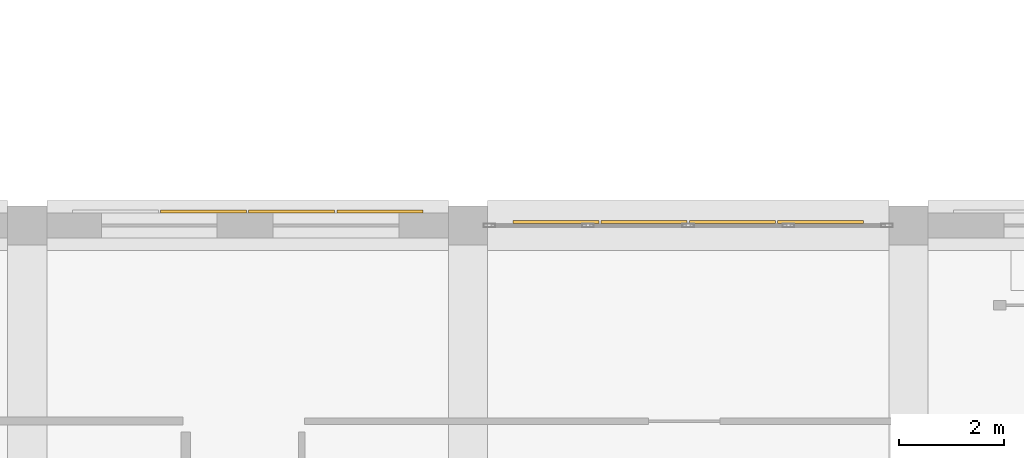
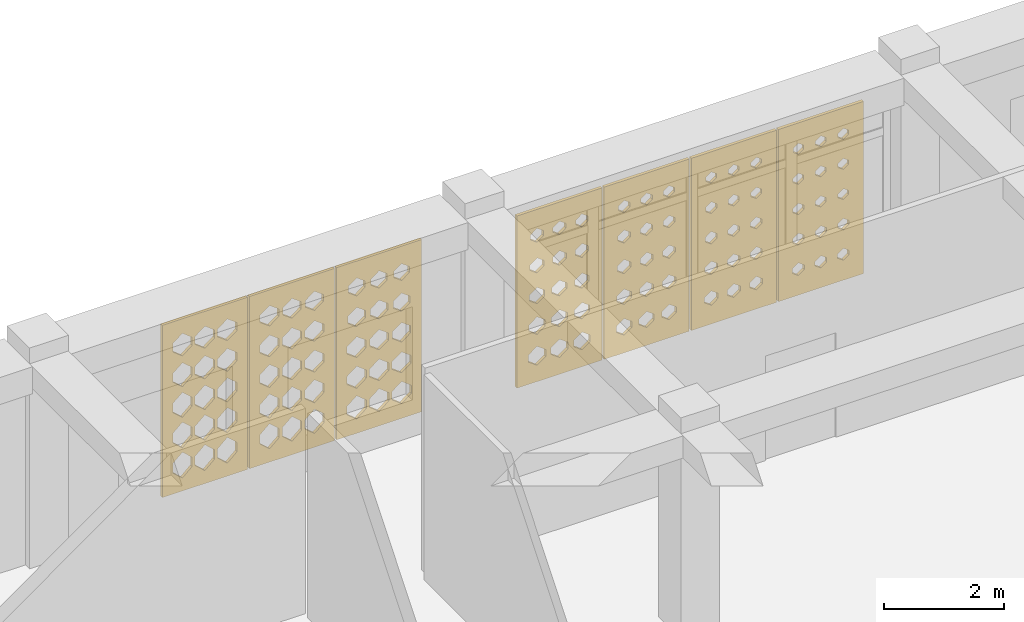
# One storey, part 99 of 121: 7 coverings.
"""IFC4 building model written with IfcOpenShell, lengths in metres."""

import ifcopenshell
import ifcopenshell.guid

model = None  # the IFC model being written
_history = None  # IfcOwnerHistory: only IFC2X3 demands one
_inside = {}  # id of a spatial element -> (the spatial element, [elements in it])
_under = {}  # id of a project, library or spatial element -> (it, [spatial elements below it])
_declared = {}  # id of a project -> (the project, [libraries it declares])
_typed = {}  # id of a type object -> (the type object, [elements of that type])
_made_of = {}  # id of a material, layer set ... -> (it, [elements and type objects made of it])


def new_model(schema):
    """Start an empty IFC model of exactly this schema.

    Asked for "IFC4X3", IfcOpenShell would pick the latest addendum, in which some entities
    have other attributes; the version numbers below select the first issue.
    IFC2X3 requires an IfcOwnerHistory on every rooted entity: one is made here for all.
    """
    global model, _history
    if schema == "IFC4X3":
        model = ifcopenshell.file(schema_version=(4, 3, 0, 0))
    else:
        model = ifcopenshell.file(schema=schema)
    _inside.clear()
    _under.clear()
    _declared.clear()
    _typed.clear()
    _made_of.clear()
    _history = None
    if model.schema == "IFC2X3":
        org = make("IfcOrganization", Name="unknown")
        user = make(
            "IfcPersonAndOrganization",
            ThePerson=make("IfcPerson", FamilyName="unknown"),
            TheOrganization=org,
        )
        app = make(
            "IfcApplication",
            ApplicationDeveloper=org,
            Version="unknown",
            ApplicationFullName="unknown",
            ApplicationIdentifier="unknown",
        )
        _history = make(
            "IfcOwnerHistory",
            OwningUser=user,
            OwningApplication=app,
            ChangeAction="ADDED",
            CreationDate=0,
        )
    return model


def make(cls, **values):
    """One entity of the class cls with the attributes given. An attribute that is None is left unset."""
    return model.create_entity(
        cls, **{name: value for name, value in values.items() if value is not None}
    )


def rooted(cls, **values):
    """An entity with a GlobalId (a new one), such as an element, a storey or a relation."""
    return make(cls, GlobalId=ifcopenshell.guid.new(), OwnerHistory=_history, **values)


def si_unit(unit_type, name, prefix=None):
    """IfcSIUnit, for example si_unit("LENGTHUNIT", "METRE", prefix="MILLI")."""
    return make("IfcSIUnit", UnitType=unit_type, Prefix=prefix, Name=name)


def derived_unit(unit_type, elements):
    """IfcDerivedUnit: a product of units, each with its exponent."""
    return make(
        "IfcDerivedUnit",
        Elements=[
            make("IfcDerivedUnitElement", Unit=unit, Exponent=power)
            for unit, power in elements
        ],
        UnitType=unit_type,
    )


def assignment(units):
    """IfcUnitAssignment: the units of a project."""
    return None if units is None else make("IfcUnitAssignment", Units=units)


def point(xyz):
    """IfcCartesianPoint."""
    return None if xyz is None else make("IfcCartesianPoint", Coordinates=xyz)


def direction(xyz):
    """IfcDirection."""
    return None if xyz is None else make("IfcDirection", DirectionRatios=xyz)


def frame(location, z_axis=None, x_axis=None):
    """IfcAxis2Placement3D, a coordinate frame: its origin and axes. An axis left out is left unset."""
    return make(
        "IfcAxis2Placement3D",
        Location=point(location),
        Axis=direction(z_axis),
        RefDirection=direction(x_axis),
    )


def origin():
    """The frame at (0, 0, 0) with its axes left unset."""
    return frame((0.0, 0.0, 0.0))


def place(relative_to, where):
    """IfcLocalPlacement: puts the frame where relative to a parent placement (None: the world)."""
    return make(
        "IfcLocalPlacement", PlacementRelTo=relative_to, RelativePlacement=where
    )


def context(
    kind, dimensions, precision=None, world=None, true_north=None, identifier=None
):
    """IfcGeometricRepresentationContext, for example the 3D "Model" context."""
    return make(
        "IfcGeometricRepresentationContext",
        ContextIdentifier=identifier,
        ContextType=kind,
        CoordinateSpaceDimension=dimensions,
        Precision=precision,
        WorldCoordinateSystem=world,
        TrueNorth=true_north,
    )


def subcontext(parent, identifier, kind, view, scale=None):
    """IfcGeometricRepresentationSubContext, for example "Body" below "Model"."""
    return make(
        "IfcGeometricRepresentationSubContext",
        ContextIdentifier=identifier,
        ContextType=kind,
        ParentContext=parent,
        TargetScale=scale,
        TargetView=view,
    )


def project(units=None, contexts=None):
    """IfcProject with its units and contexts."""
    return rooted(
        "IfcProject",
        Name="project",
        RepresentationContexts=contexts,
        UnitsInContext=assignment(units),
    )


def spatial(cls, under=None, at=None, **own):
    """A site, building, storey or space (cls), placed at a placement, below another one or the project."""
    s = rooted(cls, ObjectPlacement=at, **own)
    if under is not None:
        _under.setdefault(under.id(), (under, []))[1].append(s)
    return s


def polyline(points):
    """IfcPolyline through the points."""
    return make("IfcPolyline", Points=[point(p) for p in points])


def outline(outer, holes=None, kind="AREA"):
    """IfcArbitraryClosedProfileDef: a profile drawn as a closed curve; with holes, ...WithVoids."""
    if holes is None:
        return make("IfcArbitraryClosedProfileDef", ProfileType=kind, OuterCurve=outer)
    return make(
        "IfcArbitraryProfileDefWithVoids",
        ProfileType=kind,
        OuterCurve=outer,
        InnerCurves=holes,
    )


def extrude(swept, where, along, depth):
    """IfcExtrudedAreaSolid: the profile swept, set in the frame where, extruded along a direction by depth."""
    return make(
        "IfcExtrudedAreaSolid",
        SweptArea=swept,
        Position=where,
        ExtrudedDirection=direction(along),
        Depth=depth,
    )


def shape(context_of_items, identifier, shape_type, items):
    """IfcShapeRepresentation: the items that make up one representation, for example the "Body"."""
    return make(
        "IfcShapeRepresentation",
        ContextOfItems=context_of_items,
        RepresentationIdentifier=identifier,
        RepresentationType=shape_type,
        Items=items,
    )


def material(Name=None, Category=None):
    """IfcMaterial."""
    return make("IfcMaterial", Name=Name, Category=Category)


def layer(
    of_material, thickness, ventilated=None, Name=None, Category=None, Priority=None
):
    """IfcMaterialLayer: one layer of a wall or slab, of a material (None: an air gap)."""
    return make(
        "IfcMaterialLayer",
        Material=of_material,
        LayerThickness=thickness,
        IsVentilated=ventilated,
        Name=Name,
        Category=Category,
        Priority=Priority,
    )


def layer_set(layers, Name=None):
    """IfcMaterialLayerSet."""
    return make("IfcMaterialLayerSet", MaterialLayers=layers, LayerSetName=Name)


def made_of(thing, what):
    """Note that an element or type object is made of a material, layer set ...; save() writes the relation."""
    if what is not None:
        _made_of.setdefault(what.id(), (what, []))[1].append(thing)
    return thing


def type_object(cls, material=None, **own):
    """A type object (cls), such as IfcWallType, which elements share."""
    return made_of(rooted(cls, **own), material)


def element(
    cls,
    number,
    at=None,
    inside=None,
    cuts=None,
    type_object=None,
    material=None,
    context=None,
    identifier="Body",
    shape_type=None,
    held_by="IfcProductDefinitionShape",
    body=None,
    shapes=None,
    **own,
):
    """One element of the class cls, such as IfcWall. Its Tag is "e" and its number.

    at: its placement. inside: the storey or other place that contains it. cuts: it is an
    opening in that element (IfcRelVoidsElement). A single representation is given by context,
    identifier, shape_type and body (its items); several are given by shapes. held_by: the class
    of the entity that holds the representations. save() writes the other relations.
    """
    e = rooted(cls, Tag="e%d" % number, ObjectPlacement=at, **own)
    if body is not None:
        shapes = [shape(context, identifier, shape_type, body)]
    if shapes is not None:
        e.Representation = make(held_by, Representations=shapes)
    if inside is not None:
        _inside.setdefault(inside.id(), (inside, []))[1].append(e)
    if cuts is not None:
        rooted(
            "IfcRelVoidsElement", RelatingBuildingElement=cuts, RelatedOpeningElement=e
        )
    if type_object is not None:
        _typed.setdefault(type_object.id(), (type_object, []))[1].append(e)
    return made_of(e, material)


def aggregate(whole, parts):
    """IfcRelAggregates: a whole, such as a stair, and the parts it consists of."""
    return rooted("IfcRelAggregates", RelatingObject=whole, RelatedObjects=parts)


def save(model, path):
    """Write the relations noted so far, then the file.

    IfcRelAggregates (storeys below a building ...), IfcRelContainedInSpatialStructure (elements
    in a storey), IfcRelDefinesByType, IfcRelAssociatesMaterial and IfcRelDeclares: one each for
    every whole, place, type object, material and project.
    """
    for whole, parts in _under.values():
        aggregate(whole, parts)
    for where, things in _inside.values():
        rooted(
            "IfcRelContainedInSpatialStructure",
            RelatedElements=things,
            RelatingStructure=where,
        )
    for kind, things in _typed.values():
        rooted("IfcRelDefinesByType", RelatedObjects=things, RelatingType=kind)
    for what, things in _made_of.values():
        rooted("IfcRelAssociatesMaterial", RelatedObjects=things, RelatingMaterial=what)
    for by, libraries in _declared.values():
        rooted("IfcRelDeclares", RelatingContext=by, RelatedDefinitions=libraries)
    model.write(path)


model = new_model("IFC4")

# Units and contexts
model_context = context("Model", 3, precision=1e-05, world=origin(), true_north=direction((0.0, 1.0)))
body_context = subcontext(model_context, "Body", "Model", "MODEL_VIEW")
ifc_project = project(units=[si_unit("LENGTHUNIT", "METRE"), si_unit("AREAUNIT", "SQUARE_METRE"), si_unit("VOLUMEUNIT", "CUBIC_METRE"), si_unit("PLANEANGLEUNIT", "RADIAN"), si_unit("MASSUNIT", "GRAM", prefix="KILO"), derived_unit("THERMALTRANSMITTANCEUNIT", [(si_unit("POWERUNIT", "WATT"), 1), (si_unit("LENGTHUNIT", "METRE"), -2), (si_unit("THERMODYNAMICTEMPERATUREUNIT", "KELVIN"), -1)])], contexts=[model_context])

# Site, building, storey
site_placement = place(None, origin())
site = spatial("IfcSite", under=ifc_project, at=site_placement, CompositionType="ELEMENT")
building_placement = place(site_placement, origin())
building = spatial("IfcBuilding", under=site, at=building_placement, Name="Veybourne Emporium", CompositionType="ELEMENT")
storey_placement = place(building_placement, frame((0.0, 0.0, 5.39990234375)))
storey = spatial("IfcBuildingStorey", under=building, at=storey_placement, Name="L01", CompositionType="ELEMENT", Elevation=5.39990234375)

# Coverings
ifc_material = material(Name="Warm-White Perforated Aluminium Screen Alloy", Category="aluminium")
ifc_layer_1 = layer(ifc_material, 0.06005859375)
ifc_layer_set_1 = layer_set([ifc_layer_1], Name="Warm-White Perforated Aluminium Screen Alloy")
covering_type_1 = type_object("IfcCoveringType", Name="WaveScreen_SCR-01", PredefinedType="CLADDING", material=ifc_layer_set_1)
covering_1_placement = place(storey_placement, frame((114.239990234375, 29.09814453125, 1.815185546875), z_axis=(0.0, -1.0, 0.0), x_axis=(1.0, 0.0, 0.0)))
element("IfcCovering", 1, at=covering_1_placement, inside=storey, type_object=covering_type_1, Name="L01 wave-perforated aluminium screen SCR-01 (64.3)", PredefinedType="CLADDING", context=body_context, shape_type="SweptSolid", body=[
    extrude(outline(polyline([(-0.81982421875, -1.7548828125), (0.81982421875, -1.7548828125), (0.81982421875, 1.7548828125), (-0.81982421875, 1.7548828125), (-0.81982421875, -1.7548828125)]), holes=[polyline([(-0.433349609375, -0.971923828125), (-0.2470703125, -1.1357421875), (-0.2470703125, -1.3203125), (-0.433349609375, -1.484130859375), (-0.61962890625, -1.3203125), (-0.61962890625, -1.1357421875), (-0.433349609375, -0.971923828125)]), polyline([(-0.433349609375, -0.367919921875), (-0.2470703125, -0.525390625), (-0.2470703125, -0.70263671875), (-0.433349609375, -0.860107421875), (-0.61962890625, -0.70263671875), (-0.61962890625, -0.525390625), (-0.433349609375, -0.367919921875)]), polyline([(-0.433349609375, 0.234619140625), (-0.2470703125, 0.08447265625), (-0.2470703125, -0.08447265625), (-0.433349609375, -0.234619140625), (-0.61962890625, -0.08447265625), (-0.61962890625, 0.08447265625), (-0.433349609375, 0.234619140625)]), polyline([(-0.433349609375, 0.8359375), (-0.2470703125, 0.69384765625), (-0.2470703125, 0.5341796875), (-0.433349609375, 0.39208984375), (-0.61962890625, 0.5341796875), (-0.61962890625, 0.69384765625), (-0.433349609375, 0.8359375)]), polyline([(-0.433349609375, 1.436279296875), (-0.2529296875, 1.302978515625), (-0.2529296875, 1.153076171875), (-0.433349609375, 1.019775390625), (-0.61376953125, 1.153076171875), (-0.61376953125, 1.302978515625), (-0.433349609375, 1.436279296875)]), polyline([(0.0, -0.976318359375), (0.186279296875, -1.13720703125), (0.186279296875, -1.318603515625), (0.0, -1.479736328125), (-0.186279296875, -1.318603515625), (-0.186279296875, -1.13720703125), (0.0, -0.976318359375)]), polyline([(0.0, -0.372802734375), (0.186279296875, -0.527099609375), (0.186279296875, -0.70068359375), (0.0, -0.85498046875), (-0.186279296875, -0.70068359375), (-0.186279296875, -0.527099609375), (0.0, -0.372802734375)]), polyline([(0.0, 0.22900390625), (0.186279296875, 0.08251953125), (0.186279296875, -0.08251953125), (0.0, -0.22900390625), (-0.186279296875, -0.08251953125), (-0.186279296875, 0.08251953125), (0.0, 0.22900390625)]), polyline([(0.0, 0.829833984375), (0.186279296875, 0.691650390625), (0.186279296875, 0.536376953125), (0.0, 0.398193359375), (-0.186279296875, 0.536376953125), (-0.186279296875, 0.691650390625), (0.0, 0.829833984375)]), polyline([(0.0, 1.429931640625), (0.17529296875, 1.30078125), (0.17529296875, 1.1552734375), (0.0, 1.02587890625), (-0.17529296875, 1.1552734375), (-0.17529296875, 1.30078125), (0.0, 1.429931640625)]), polyline([(0.433349609375, -0.980712890625), (0.61962890625, -1.138916015625), (0.61962890625, -1.31689453125), (0.433349609375, -1.47509765625), (0.2470703125, -1.31689453125), (0.2470703125, -1.138916015625), (0.433349609375, -0.980712890625)]), polyline([(0.433349609375, -0.378173828125), (0.61962890625, -0.529052734375), (0.61962890625, -0.698974609375), (0.433349609375, -0.849853515625), (0.2470703125, -0.698974609375), (0.2470703125, -0.529052734375), (0.433349609375, -0.378173828125)]), polyline([(0.433349609375, 0.22314453125), (0.61962890625, 0.080322265625), (0.61962890625, -0.080322265625), (0.433349609375, -0.22314453125), (0.2470703125, -0.080322265625), (0.2470703125, 0.080322265625), (0.433349609375, 0.22314453125)]), polyline([(0.433349609375, 0.823486328125), (0.61474609375, 0.689453125), (0.61474609375, 0.53857421875), (0.433349609375, 0.404296875), (0.251708984375, 0.53857421875), (0.251708984375, 0.689453125), (0.433349609375, 0.823486328125)]), polyline([(0.433349609375, 1.423583984375), (0.603271484375, 1.29833984375), (0.603271484375, 1.15771484375), (0.433349609375, 1.032470703125), (0.26318359375, 1.15771484375), (0.26318359375, 1.29833984375), (0.433349609375, 1.423583984375)])]), origin(), (0.0, 0.0, 1.0), 0.06005859375),
])
covering_2_placement = place(storey_placement, frame((119.280029296875, 28.89404296875, 1.815185546875), z_axis=(0.0, -1.0, 0.0), x_axis=(1.0, 0.0, 0.0)))
element("IfcCovering", 2, at=covering_2_placement, inside=storey, type_object=covering_type_1, Name="L01 wave-perforated aluminium screen SCR-01 (66C.1)", PredefinedType="CLADDING", context=body_context, shape_type="SweptSolid", body=[
    extrude(outline(polyline([(-0.81982421875, -1.7548828125), (0.81982421875, -1.7548828125), (0.81982421875, 1.7548828125), (-0.81982421875, 1.7548828125), (-0.81982421875, -1.7548828125)]), holes=[polyline([(-0.433349609375, -1.03466796875), (-0.26513671875, -1.158447265625), (-0.26513671875, -1.297607421875), (-0.433349609375, -1.42138671875), (-0.6015625, -1.297607421875), (-0.6015625, -1.158447265625), (-0.433349609375, -1.03466796875)]), polyline([(-0.433349609375, -0.434814453125), (-0.276611328125, -0.549560546875), (-0.276611328125, -0.678466796875), (-0.433349609375, -0.793212890625), (-0.590087890625, -0.678466796875), (-0.590087890625, -0.549560546875), (-0.433349609375, -0.434814453125)]), polyline([(-0.433349609375, 0.16552734375), (-0.287841796875, 0.0595703125), (-0.287841796875, -0.0595703125), (-0.433349609375, -0.16552734375), (-0.57861328125, -0.0595703125), (-0.57861328125, 0.0595703125), (-0.433349609375, 0.16552734375)]), polyline([(-0.433349609375, 0.7666015625), (-0.298583984375, 0.6689453125), (-0.298583984375, 0.55908203125), (-0.433349609375, 0.46142578125), (-0.568115234375, 0.55908203125), (-0.568115234375, 0.6689453125), (-0.433349609375, 0.7666015625)]), polyline([(-0.433349609375, 1.368896484375), (-0.30810546875, 1.27880859375), (-0.30810546875, 1.17724609375), (-0.433349609375, 1.087158203125), (-0.55859375, 1.17724609375), (-0.55859375, 1.27880859375), (-0.433349609375, 1.368896484375)]), polyline([(0.0, -1.041015625), (0.162841796875, -1.16064453125), (0.162841796875, -1.29541015625), (0.0, -1.414794921875), (-0.162841796875, -1.29541015625), (-0.162841796875, -1.16064453125), (0.0, -1.041015625)]), polyline([(0.0, -0.441162109375), (0.151611328125, -0.5517578125), (0.151611328125, -0.67626953125), (0.0, -0.786865234375), (-0.151611328125, -0.67626953125), (-0.151611328125, -0.5517578125), (0.0, -0.441162109375)]), polyline([(0.0, 0.159423828125), (0.140380859375, 0.057373046875), (0.140380859375, -0.057373046875), (0.0, -0.159423828125), (-0.140380859375, -0.057373046875), (-0.140380859375, 0.057373046875), (0.0, 0.159423828125)]), polyline([(0.0, 0.760986328125), (0.13037109375, 0.6669921875), (0.13037109375, 0.56103515625), (0.0, 0.467041015625), (-0.13037109375, 0.56103515625), (-0.13037109375, 0.6669921875), (0.0, 0.760986328125)]), polyline([(0.0, 1.364013671875), (0.12109375, 1.27685546875), (0.12109375, 1.17919921875), (0.0, 1.092041015625), (-0.12109375, 1.17919921875), (-0.12109375, 1.27685546875), (0.0, 1.364013671875)]), polyline([(0.433349609375, -1.047607421875), (0.591064453125, -1.1630859375), (0.591064453125, -1.29296875), (0.433349609375, -1.408447265625), (0.275634765625, -1.29296875), (0.275634765625, -1.1630859375), (0.433349609375, -1.047607421875)]), polyline([(0.433349609375, -0.447265625), (0.57958984375, -0.553955078125), (0.57958984375, -0.674072265625), (0.433349609375, -0.78076171875), (0.286865234375, -0.674072265625), (0.286865234375, -0.553955078125), (0.433349609375, -0.447265625)]), polyline([(0.433349609375, 0.15380859375), (0.569091796875, 0.055419921875), (0.569091796875, -0.055419921875), (0.433349609375, -0.15380859375), (0.297607421875, -0.055419921875), (0.297607421875, 0.055419921875), (0.433349609375, 0.15380859375)]), polyline([(0.433349609375, 0.755859375), (0.559326171875, 0.6650390625), (0.559326171875, 0.56298828125), (0.433349609375, 0.47216796875), (0.307373046875, 0.56298828125), (0.307373046875, 0.6650390625), (0.433349609375, 0.755859375)]), polyline([(0.433349609375, 1.359375), (0.55078125, 1.275390625), (0.55078125, 1.1806640625), (0.433349609375, 1.0966796875), (0.31591796875, 1.1806640625), (0.31591796875, 1.275390625), (0.433349609375, 1.359375)])]), origin(), (0.0, 0.0, 1.0), 0.06005859375),
])
ifc_layer_2 = layer(ifc_material, 0.06005859375)
ifc_layer_set_2 = layer_set([ifc_layer_2], Name="Warm-White Perforated Aluminium Screen Alloy")
covering_type_2 = type_object("IfcCoveringType", Name="WaveScreen_SCR-02", PredefinedType="CLADDING", material=ifc_layer_set_2)
covering_3_placement = place(storey_placement, frame((115.919921875, 29.09814453125, 1.815185546875), z_axis=(0.0, -1.0, 0.0), x_axis=(1.0, 0.0, 0.0)))
element("IfcCovering", 3, at=covering_3_placement, inside=storey, type_object=covering_type_2, Name="L01 wave-perforated aluminium screen SCR-02 (64.4)", PredefinedType="CLADDING", context=body_context, shape_type="SweptSolid", body=[
    extrude(outline(polyline([(-0.81982421875, -1.7548828125), (0.81982421875, -1.7548828125), (0.81982421875, 1.7548828125), (-0.81982421875, 1.7548828125), (-0.81982421875, -1.7548828125)]), holes=[polyline([(-0.433349609375, -0.990478515625), (-0.2470703125, -1.142578125), (-0.2470703125, -1.3134765625), (-0.433349609375, -1.465576171875), (-0.61962890625, -1.3134765625), (-0.61962890625, -1.142578125), (-0.433349609375, -0.990478515625)]), polyline([(-0.433349609375, -0.388916015625), (-0.2470703125, -0.532958984375), (-0.2470703125, -0.695068359375), (-0.433349609375, -0.839111328125), (-0.61962890625, -0.695068359375), (-0.61962890625, -0.532958984375), (-0.433349609375, -0.388916015625)]), polyline([(-0.433349609375, 0.211669921875), (-0.250244140625, 0.076171875), (-0.250244140625, -0.076171875), (-0.433349609375, -0.211669921875), (-0.616455078125, -0.076171875), (-0.616455078125, 0.076171875), (-0.433349609375, 0.211669921875)]), polyline([(-0.433349609375, 0.8115234375), (-0.26171875, 0.685302734375), (-0.26171875, 0.542724609375), (-0.433349609375, 0.41650390625), (-0.60498046875, 0.542724609375), (-0.60498046875, 0.685302734375), (-0.433349609375, 0.8115234375)]), polyline([(-0.433349609375, 1.41162109375), (-0.273193359375, 1.294189453125), (-0.273193359375, 1.161865234375), (-0.433349609375, 1.04443359375), (-0.593505859375, 1.161865234375), (-0.593505859375, 1.294189453125), (-0.433349609375, 1.41162109375)]), polyline([(0.0, -0.995849609375), (0.186279296875, -1.14453125), (0.186279296875, -1.3115234375), (0.0, -1.460205078125), (-0.186279296875, -1.3115234375), (-0.186279296875, -1.14453125), (0.0, -0.995849609375)]), polyline([(0.0, -0.39501953125), (0.186279296875, -0.53515625), (0.186279296875, -0.69287109375), (0.0, -0.8330078125), (-0.186279296875, -0.69287109375), (-0.186279296875, -0.53515625), (0.0, -0.39501953125)]), polyline([(0.0, 0.205322265625), (0.177978515625, 0.073974609375), (0.177978515625, -0.073974609375), (0.0, -0.205322265625), (-0.177978515625, -0.073974609375), (-0.177978515625, 0.073974609375), (0.0, 0.205322265625)]), polyline([(0.0, 0.80517578125), (0.16650390625, 0.682861328125), (0.16650390625, 0.545166015625), (0.0, 0.4228515625), (-0.16650390625, 0.545166015625), (-0.16650390625, 0.682861328125), (0.0, 0.80517578125)]), polyline([(0.0, 1.405029296875), (0.15478515625, 1.291748046875), (0.15478515625, 1.164306640625), (0.0, 1.05078125), (-0.15478515625, 1.164306640625), (-0.15478515625, 1.291748046875), (0.0, 1.405029296875)]), polyline([(0.433349609375, -1.001708984375), (0.61962890625, -1.146484375), (0.61962890625, -1.3095703125), (0.433349609375, -1.454345703125), (0.2470703125, -1.3095703125), (0.2470703125, -1.146484375), (0.433349609375, -1.001708984375)]), polyline([(0.433349609375, -0.401123046875), (0.617431640625, -0.537353515625), (0.617431640625, -0.690673828125), (0.433349609375, -0.826904296875), (0.2490234375, -0.690673828125), (0.2490234375, -0.537353515625), (0.433349609375, -0.401123046875)]), polyline([(0.433349609375, 0.198974609375), (0.606201171875, 0.071533203125), (0.606201171875, -0.071533203125), (0.433349609375, -0.198974609375), (0.260498046875, -0.071533203125), (0.260498046875, 0.071533203125), (0.433349609375, 0.198974609375)]), polyline([(0.433349609375, 0.798828125), (0.594482421875, 0.680419921875), (0.594482421875, 0.547607421875), (0.433349609375, 0.42919921875), (0.272216796875, 0.547607421875), (0.272216796875, 0.680419921875), (0.433349609375, 0.798828125)]), polyline([(0.433349609375, 1.398681640625), (0.5830078125, 1.28955078125), (0.5830078125, 1.16650390625), (0.433349609375, 1.05712890625), (0.283447265625, 1.16650390625), (0.283447265625, 1.28955078125), (0.433349609375, 1.398681640625)])]), origin(), (0.0, 0.0, 1.0), 0.06005859375),
])
covering_4_placement = place(storey_placement, frame((120.9599609375, 28.89404296875, 1.815185546875), z_axis=(0.0, -1.0, 0.0), x_axis=(1.0, 0.0, 0.0)))
element("IfcCovering", 4, at=covering_4_placement, inside=storey, type_object=covering_type_2, Name="L01 wave-perforated aluminium screen SCR-02 (66C.2)", PredefinedType="CLADDING", context=body_context, shape_type="SweptSolid", body=[
    extrude(outline(polyline([(-0.81982421875, -1.7548828125), (0.81982421875, -1.7548828125), (0.81982421875, 1.7548828125), (-0.81982421875, 1.7548828125), (-0.81982421875, -1.7548828125)]), holes=[polyline([(-0.433349609375, -1.059326171875), (-0.285400390625, -1.167236328125), (-0.285400390625, -1.288818359375), (-0.433349609375, -1.396728515625), (-0.581298828125, -1.288818359375), (-0.581298828125, -1.167236328125), (-0.433349609375, -1.059326171875)]), polyline([(-0.433349609375, -0.45849609375), (-0.296142578125, -0.55810546875), (-0.296142578125, -0.669921875), (-0.433349609375, -0.76953125), (-0.570556640625, -0.669921875), (-0.570556640625, -0.55810546875), (-0.433349609375, -0.45849609375)]), polyline([(-0.433349609375, 0.1435546875), (-0.305908203125, 0.0517578125), (-0.305908203125, -0.0517578125), (-0.433349609375, -0.1435546875), (-0.560791015625, -0.0517578125), (-0.560791015625, 0.0517578125), (-0.433349609375, 0.1435546875)]), polyline([(-0.433349609375, 0.746826171875), (-0.314697265625, 0.661865234375), (-0.314697265625, 0.566162109375), (-0.433349609375, 0.481201171875), (-0.552001953125, 0.566162109375), (-0.552001953125, 0.661865234375), (-0.433349609375, 0.746826171875)]), polyline([(-0.433349609375, 1.35205078125), (-0.322021484375, 1.272705078125), (-0.322021484375, 1.183349609375), (-0.433349609375, 1.10400390625), (-0.544921875, 1.183349609375), (-0.544921875, 1.272705078125), (-0.433349609375, 1.35205078125)]), polyline([(0.0, -1.0654296875), (0.14306640625, -1.16943359375), (0.14306640625, -1.28662109375), (0.0, -1.390625), (-0.14306640625, -1.28662109375), (-0.14306640625, -1.16943359375), (0.0, -1.0654296875)]), polyline([(0.0, -0.464111328125), (0.1328125, -0.56005859375), (0.1328125, -0.66796875), (0.0, -0.763916015625), (-0.1328125, -0.66796875), (-0.1328125, -0.56005859375), (0.0, -0.464111328125)]), polyline([(0.0, 0.138427734375), (0.123291015625, 0.0498046875), (0.123291015625, -0.0498046875), (0.0, -0.138427734375), (-0.123291015625, -0.0498046875), (-0.123291015625, 0.0498046875), (0.0, 0.138427734375)]), polyline([(0.0, 0.74267578125), (0.115234375, 0.660400390625), (0.115234375, 0.567626953125), (0.0, 0.4853515625), (-0.115234375, 0.567626953125), (-0.115234375, 0.660400390625), (0.0, 0.74267578125)]), polyline([(0.0, 1.3486328125), (0.108642578125, 1.271484375), (0.108642578125, 1.1845703125), (0.0, 1.107421875), (-0.108642578125, 1.1845703125), (-0.108642578125, 1.271484375), (0.0, 1.3486328125)]), polyline([(0.433349609375, -1.0712890625), (0.571533203125, -1.171630859375), (0.571533203125, -1.284423828125), (0.433349609375, -1.384765625), (0.295166015625, -1.284423828125), (0.295166015625, -1.171630859375), (0.433349609375, -1.0712890625)]), polyline([(0.433349609375, -0.469482421875), (0.5615234375, -0.56201171875), (0.5615234375, -0.666015625), (0.433349609375, -0.758544921875), (0.30517578125, -0.666015625), (0.30517578125, -0.56201171875), (0.433349609375, -0.469482421875)]), polyline([(0.433349609375, 0.1337890625), (0.552734375, 0.048095703125), (0.552734375, -0.048095703125), (0.433349609375, -0.1337890625), (0.31396484375, -0.048095703125), (0.31396484375, 0.048095703125), (0.433349609375, 0.1337890625)]), polyline([(0.433349609375, 0.73876953125), (0.54541015625, 0.658935546875), (0.54541015625, 0.569091796875), (0.433349609375, 0.4892578125), (0.3212890625, 0.569091796875), (0.3212890625, 0.658935546875), (0.433349609375, 0.73876953125)]), polyline([(0.433349609375, 1.345703125), (0.53955078125, 1.2705078125), (0.53955078125, 1.185546875), (0.433349609375, 1.1103515625), (0.3271484375, 1.185546875), (0.3271484375, 1.2705078125), (0.433349609375, 1.345703125)])]), origin(), (0.0, 0.0, 1.0), 0.06005859375),
])
ifc_layer_3 = layer(ifc_material, 0.06005859375)
ifc_layer_set_3 = layer_set([ifc_layer_3], Name="Warm-White Perforated Aluminium Screen Alloy")
covering_type_3 = type_object("IfcCoveringType", Name="WaveScreen_SCR-03", PredefinedType="CLADDING", material=ifc_layer_set_3)
covering_5_placement = place(storey_placement, frame((122.639892578125, 28.89404296875, 1.815185546875), z_axis=(0.0, -1.0, 0.0), x_axis=(1.0, 0.0, 0.0)))
element("IfcCovering", 5, at=covering_5_placement, inside=storey, type_object=covering_type_3, Name="L01 wave-perforated aluminium screen SCR-03 (66C.3)", PredefinedType="CLADDING", context=body_context, shape_type="SweptSolid", body=[
    extrude(outline(polyline([(-0.81982421875, -1.7548828125), (0.81982421875, -1.7548828125), (0.81982421875, 1.7548828125), (-0.81982421875, 1.7548828125), (-0.81982421875, -1.7548828125)]), holes=[polyline([(-0.433349609375, -1.081787109375), (-0.3037109375, -1.17529296875), (-0.3037109375, -1.28076171875), (-0.433349609375, -1.374267578125), (-0.56298828125, -1.28076171875), (-0.56298828125, -1.17529296875), (-0.433349609375, -1.081787109375)]), polyline([(-0.433349609375, -0.478759765625), (-0.312744140625, -0.565185546875), (-0.312744140625, -0.66259765625), (-0.433349609375, -0.749267578125), (-0.553955078125, -0.66259765625), (-0.553955078125, -0.565185546875), (-0.433349609375, -0.478759765625)]), polyline([(-0.433349609375, 0.1259765625), (-0.3203125, 0.04541015625), (-0.3203125, -0.04541015625), (-0.433349609375, -0.1259765625), (-0.54638671875, -0.04541015625), (-0.54638671875, 0.04541015625), (-0.433349609375, 0.1259765625)]), polyline([(-0.433349609375, 0.732666015625), (-0.326416015625, 0.65673828125), (-0.326416015625, 0.5712890625), (-0.433349609375, 0.495361328125), (-0.540283203125, 0.5712890625), (-0.540283203125, 0.65673828125), (-0.433349609375, 0.732666015625)]), polyline([(-0.433349609375, 1.34130859375), (-0.33056640625, 1.268798828125), (-0.33056640625, 1.187255859375), (-0.433349609375, 1.114501953125), (-0.5361328125, 1.187255859375), (-0.5361328125, 1.268798828125), (-0.433349609375, 1.34130859375)]), polyline([(0.0, -1.0869140625), (0.12548828125, -1.17724609375), (0.12548828125, -1.27880859375), (0.0, -1.369140625), (-0.12548828125, -1.27880859375), (-0.12548828125, -1.17724609375), (0.0, -1.0869140625)]), polyline([(0.0, -0.483154296875), (0.116943359375, -0.56689453125), (0.116943359375, -0.6611328125), (0.0, -0.744873046875), (-0.116943359375, -0.6611328125), (-0.116943359375, -0.56689453125), (0.0, -0.483154296875)]), polyline([(0.0, 0.122314453125), (0.110107421875, 0.0439453125), (0.110107421875, -0.0439453125), (0.0, -0.122314453125), (-0.110107421875, -0.0439453125), (-0.110107421875, 0.0439453125), (0.0, 0.122314453125)]), polyline([(0.0, 0.72998046875), (0.10498046875, 0.65576171875), (0.10498046875, 0.572265625), (0.0, 0.498046875), (-0.10498046875, 0.572265625), (-0.10498046875, 0.65576171875), (0.0, 0.72998046875)]), polyline([(0.0, 1.33984375), (0.1015625, 1.268310546875), (0.1015625, 1.187744140625), (0.0, 1.1162109375), (-0.1015625, 1.187744140625), (-0.1015625, 1.268310546875), (0.0, 1.33984375)]), polyline([(0.433349609375, -1.091796875), (0.5546875, -1.178955078125), (0.5546875, -1.277099609375), (0.433349609375, -1.3642578125), (0.31201171875, -1.277099609375), (0.31201171875, -1.178955078125), (0.433349609375, -1.091796875)]), polyline([(0.433349609375, -0.4873046875), (0.547119140625, -0.568359375), (0.547119140625, -0.65966796875), (0.433349609375, -0.74072265625), (0.319580078125, -0.65966796875), (0.319580078125, -0.568359375), (0.433349609375, -0.4873046875)]), polyline([(0.433349609375, 0.119140625), (0.540771484375, 0.04296875), (0.540771484375, -0.04296875), (0.433349609375, -0.119140625), (0.32568359375, -0.04296875), (0.32568359375, 0.04296875), (0.433349609375, 0.119140625)]), polyline([(0.433349609375, 0.727783203125), (0.536376953125, 0.655029296875), (0.536376953125, 0.572998046875), (0.433349609375, 0.500244140625), (0.330078125, 0.572998046875), (0.330078125, 0.655029296875), (0.433349609375, 0.727783203125)]), polyline([(0.433349609375, 1.338623046875), (0.533935546875, 1.267822265625), (0.533935546875, 1.18798828125), (0.433349609375, 1.1171875), (0.332763671875, 1.18798828125), (0.332763671875, 1.267822265625), (0.433349609375, 1.338623046875)])]), origin(), (0.0, 0.0, 1.0), 0.06005859375),
])
ifc_layer_4 = layer(ifc_material, 0.06005859375)
ifc_layer_set_4 = layer_set([ifc_layer_4], Name="Warm-White Perforated Aluminium Screen Alloy")
covering_type_4 = type_object("IfcCoveringType", Name="WaveScreen_SCR-04", PredefinedType="CLADDING", material=ifc_layer_set_4)
covering_6_placement = place(storey_placement, frame((112.56005859375, 29.09814453125, 1.815185546875), z_axis=(0.0, -1.0, 0.0), x_axis=(1.0, 0.0, 0.0)))
element("IfcCovering", 6, at=covering_6_placement, inside=storey, type_object=covering_type_4, Name="L01 wave-perforated aluminium screen SCR-04 (64.2)", PredefinedType="CLADDING", context=body_context, shape_type="SweptSolid", body=[
    extrude(outline(polyline([(-0.81982421875, -1.7548828125), (0.81982421875, -1.7548828125), (0.81982421875, 1.7548828125), (-0.81982421875, 1.7548828125), (-0.81982421875, -1.7548828125)]), holes=[polyline([(-0.433349609375, -0.964111328125), (-0.2470703125, -1.133056640625), (-0.2470703125, -1.322998046875), (-0.433349609375, -1.491943359375), (-0.61962890625, -1.322998046875), (-0.61962890625, -1.133056640625), (-0.433349609375, -0.964111328125)]), polyline([(-0.433349609375, -0.3515625), (-0.2470703125, -0.51953125), (-0.2470703125, -0.70849609375), (-0.433349609375, -0.87646484375), (-0.61962890625, -0.70849609375), (-0.61962890625, -0.51953125), (-0.433349609375, -0.3515625)]), polyline([(-0.433349609375, 0.25390625), (-0.2470703125, 0.09130859375), (-0.2470703125, -0.09130859375), (-0.433349609375, -0.25390625), (-0.61962890625, -0.09130859375), (-0.61962890625, 0.09130859375), (-0.433349609375, 0.25390625)]), polyline([(-0.433349609375, 0.857421875), (-0.2470703125, 0.70166015625), (-0.2470703125, 0.5263671875), (-0.433349609375, 0.37060546875), (-0.61962890625, 0.5263671875), (-0.61962890625, 0.70166015625), (-0.433349609375, 0.857421875)]), polyline([(-0.433349609375, 1.459716796875), (-0.2470703125, 1.311279296875), (-0.2470703125, 1.14453125), (-0.433349609375, 0.996337890625), (-0.61962890625, 1.14453125), (-0.61962890625, 1.311279296875), (-0.433349609375, 1.459716796875)]), polyline([(0.0, -0.964111328125), (0.186279296875, -1.133056640625), (0.186279296875, -1.322998046875), (0.0, -1.491943359375), (-0.186279296875, -1.322998046875), (-0.186279296875, -1.133056640625), (0.0, -0.964111328125)]), polyline([(0.0, -0.355224609375), (0.186279296875, -0.520751953125), (0.186279296875, -0.707275390625), (0.0, -0.872802734375), (-0.186279296875, -0.707275390625), (-0.186279296875, -0.520751953125), (0.0, -0.355224609375)]), polyline([(0.0, 0.24951171875), (0.186279296875, 0.08984375), (0.186279296875, -0.08984375), (0.0, -0.24951171875), (-0.186279296875, -0.08984375), (-0.186279296875, 0.08984375), (0.0, 0.24951171875)]), polyline([(0.0, 0.852294921875), (0.186279296875, 0.69970703125), (0.186279296875, 0.5283203125), (0.0, 0.375732421875), (-0.186279296875, 0.5283203125), (-0.186279296875, 0.69970703125), (0.0, 0.852294921875)]), polyline([(0.0, 1.453857421875), (0.186279296875, 1.309326171875), (0.186279296875, 1.146728515625), (0.0, 1.002197265625), (-0.186279296875, 1.146728515625), (-0.186279296875, 1.309326171875), (0.0, 1.453857421875)]), polyline([(0.433349609375, -0.96484375), (0.61962890625, -1.13330078125), (0.61962890625, -1.32275390625), (0.433349609375, -1.4912109375), (0.2470703125, -1.32275390625), (0.2470703125, -1.13330078125), (0.433349609375, -0.96484375)]), polyline([(0.433349609375, -0.359130859375), (0.61962890625, -0.522216796875), (0.61962890625, -0.705810546875), (0.433349609375, -0.868896484375), (0.2470703125, -0.705810546875), (0.2470703125, -0.522216796875), (0.433349609375, -0.359130859375)]), polyline([(0.433349609375, 0.24462890625), (0.61962890625, 0.087890625), (0.61962890625, -0.087890625), (0.433349609375, -0.24462890625), (0.2470703125, -0.087890625), (0.2470703125, 0.087890625), (0.433349609375, 0.24462890625)]), polyline([(0.433349609375, 0.846923828125), (0.61962890625, 0.69775390625), (0.61962890625, 0.5302734375), (0.433349609375, 0.381103515625), (0.2470703125, 0.5302734375), (0.2470703125, 0.69775390625), (0.433349609375, 0.846923828125)]), polyline([(0.433349609375, 1.447998046875), (0.61962890625, 1.30712890625), (0.61962890625, 1.148681640625), (0.433349609375, 1.008056640625), (0.2470703125, 1.148681640625), (0.2470703125, 1.30712890625), (0.433349609375, 1.447998046875)])]), origin(), (0.0, 0.0, 1.0), 0.06005859375),
])
covering_7_placement = place(storey_placement, frame((124.320068359375, 28.89404296875, 1.815185546875), z_axis=(0.0, -1.0, 0.0), x_axis=(1.0, 0.0, 0.0)))
element("IfcCovering", 7, at=covering_7_placement, inside=storey, type_object=covering_type_4, Name="L01 wave-perforated aluminium screen SCR-04 (66C.4)", PredefinedType="CLADDING", context=body_context, shape_type="SweptSolid", body=[
    extrude(outline(polyline([(-0.81982421875, -1.7548828125), (0.81982421875, -1.7548828125), (0.81982421875, 1.7548828125), (-0.81982421875, 1.7548828125), (-0.81982421875, -1.7548828125)]), holes=[polyline([(-0.433349609375, -1.10009765625), (-0.318603515625, -1.181884765625), (-0.318603515625, -1.274169921875), (-0.433349609375, -1.35595703125), (-0.548095703125, -1.274169921875), (-0.548095703125, -1.181884765625), (-0.433349609375, -1.10009765625)]), polyline([(-0.433349609375, -0.493896484375), (-0.324951171875, -0.57080078125), (-0.324951171875, -0.6572265625), (-0.433349609375, -0.734130859375), (-0.541748046875, -0.6572265625), (-0.541748046875, -0.57080078125), (-0.433349609375, -0.493896484375)]), polyline([(-0.433349609375, 0.114501953125), (-0.32958984375, 0.041259765625), (-0.32958984375, -0.041259765625), (-0.433349609375, -0.114501953125), (-0.537109375, -0.041259765625), (-0.537109375, 0.041259765625), (-0.433349609375, 0.114501953125)]), polyline([(-0.433349609375, 0.72509765625), (-0.33251953125, 0.654052734375), (-0.33251953125, 0.573974609375), (-0.433349609375, 0.5029296875), (-0.5341796875, 0.573974609375), (-0.5341796875, 0.654052734375), (-0.433349609375, 0.72509765625)]), polyline([(-0.433349609375, 1.337890625), (-0.333251953125, 1.267578125), (-0.333251953125, 1.1884765625), (-0.433349609375, 1.117919921875), (-0.533203125, 1.1884765625), (-0.533203125, 1.267578125), (-0.433349609375, 1.337890625)]), polyline([(0.0, -1.103759765625), (0.111572265625, -1.183349609375), (0.111572265625, -1.272705078125), (0.0, -1.352294921875), (-0.111572265625, -1.272705078125), (-0.111572265625, -1.183349609375), (0.0, -1.103759765625)]), polyline([(0.0, -0.49658203125), (0.10595703125, -0.57177734375), (0.10595703125, -0.65625), (0.0, -0.731201171875), (-0.10595703125, -0.65625), (-0.10595703125, -0.57177734375), (0.0, -0.49658203125)]), polyline([(0.0, 0.112548828125), (0.10205078125, 0.04052734375), (0.10205078125, -0.04052734375), (0.0, -0.112548828125), (-0.10205078125, -0.04052734375), (-0.10205078125, 0.04052734375), (0.0, 0.112548828125)]), polyline([(0.0, 0.724365234375), (0.10009765625, 0.65380859375), (0.10009765625, 0.57421875), (0.0, 0.503662109375), (-0.10009765625, 0.57421875), (-0.10009765625, 0.65380859375), (0.0, 0.724365234375)]), polyline([(0.0, 1.33837890625), (0.100341796875, 1.267578125), (0.100341796875, 1.188232421875), (0.0, 1.11767578125), (-0.100341796875, 1.188232421875), (-0.100341796875, 1.267578125), (0.0, 1.33837890625)]), polyline([(0.433349609375, -1.107177734375), (0.542236328125, -1.1845703125), (0.542236328125, -1.271484375), (0.433349609375, -1.348876953125), (0.324462890625, -1.271484375), (0.324462890625, -1.1845703125), (0.433349609375, -1.107177734375)]), polyline([(0.433349609375, -0.4990234375), (0.537353515625, -0.572509765625), (0.537353515625, -0.655517578125), (0.433349609375, -0.72900390625), (0.329345703125, -0.655517578125), (0.329345703125, -0.572509765625), (0.433349609375, -0.4990234375)]), polyline([(0.433349609375, 0.111083984375), (0.534423828125, 0.0400390625), (0.534423828125, -0.0400390625), (0.433349609375, -0.111083984375), (0.332275390625, -0.0400390625), (0.332275390625, 0.0400390625), (0.433349609375, 0.111083984375)]), polyline([(0.433349609375, 0.72412109375), (0.533203125, 0.653564453125), (0.533203125, 0.574462890625), (0.433349609375, 0.50390625), (0.333251953125, 0.574462890625), (0.333251953125, 0.653564453125), (0.433349609375, 0.72412109375)]), polyline([(0.433349609375, 1.339111328125), (0.5341796875, 1.26806640625), (0.5341796875, 1.18798828125), (0.433349609375, 1.11669921875), (0.33251953125, 1.18798828125), (0.33251953125, 1.26806640625), (0.433349609375, 1.339111328125)])]), origin(), (0.0, 0.0, 1.0), 0.06005859375),
])

save(model, "model.ifc")
